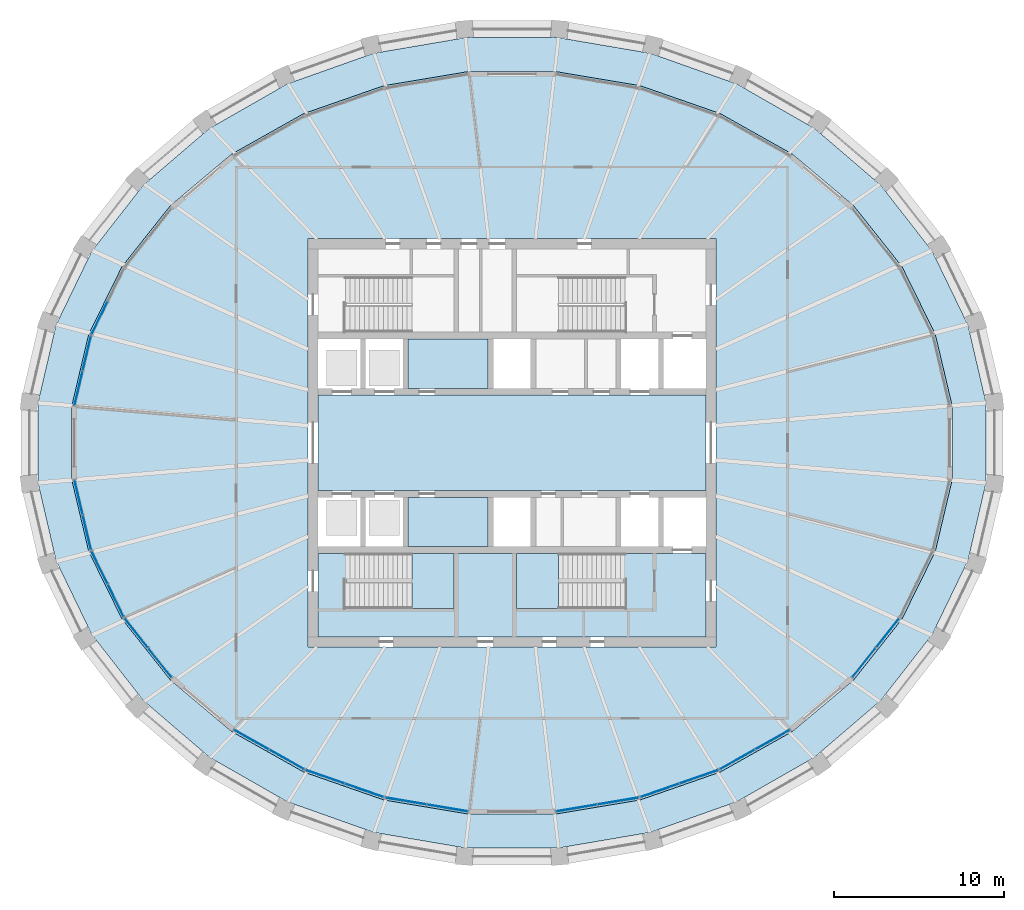
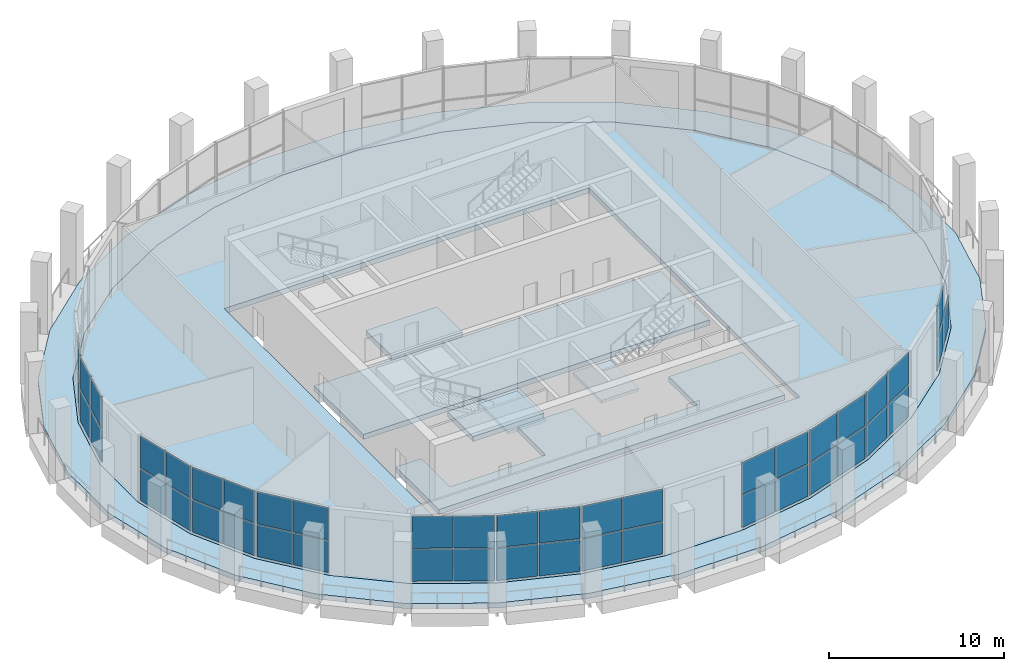
# One storey, part 8 of 16: 45 plates, 8 slabs, 14 elements without a shape of their own.
"""IFC4 building model written with IfcOpenShell, lengths in metres."""

from ifc_helpers import new_model, si_unit, direction, frame, origin, origin_2d, place, context, subcontext, project, spatial, polyline, rectangle, outline, extrude, material, layer, layer_set, type_object, element, aggregate, save


model = new_model("IFC4")

# Units and contexts
model_context = context("Model", 3, precision=1e-05, world=origin(), true_north=direction((0.0, 1.0)))
body_context = subcontext(model_context, "Body", "Model", "MODEL_VIEW")
ifc_project = project(units=[si_unit("LENGTHUNIT", "METRE"), si_unit("AREAUNIT", "SQUARE_METRE"), si_unit("VOLUMEUNIT", "CUBIC_METRE"), si_unit("PLANEANGLEUNIT", "RADIAN"), si_unit("MASSUNIT", "GRAM", prefix="KILO")], contexts=[model_context])

# Site, building, storey
site_placement = place(None, origin())
site = spatial("IfcSite", under=ifc_project, at=site_placement, CompositionType="ELEMENT")
building_placement = place(site_placement, origin())
building = spatial("IfcBuilding", under=site, at=building_placement, Name="Halqa Exchange Tower", CompositionType="ELEMENT")
storey_placement = place(building_placement, frame((0.0, 0.0, 333.300048828125)))
storey = spatial("IfcBuildingStorey", under=building, at=storey_placement, Name="L78", CompositionType="ELEMENT", Elevation=333.300048828125)

# Curtain wall, plates
ifc_material_1 = material(Name="Anodised aluminium and clear glass", Category="aluminium")
curtain_wall_type = type_object("IfcCurtainWallType", Name="Sky lobby glazing", PredefinedType="NOTDEFINED", material=ifc_material_1)
curtain_wall_1_placement = place(storey_placement, origin())
curtain_wall_1 = element("IfcCurtainWall", 1, at=curtain_wall_1_placement, inside=storey, type_object=curtain_wall_type, Name="Sky lobby glazing run G14", PredefinedType="NOTDEFINED")
ifc_material_2 = material(Name="Clear glass", Category="glass")
ifc_layer_1 = layer(ifc_material_2, 0.031982421875)
ifc_layer_set_1 = layer_set([ifc_layer_1], Name="Clear glass")
plate_type = type_object("IfcPlateType", Name="Clear low-emissivity glass panel 32", PredefinedType="CURTAIN_PANEL", material=ifc_layer_set_1)
plate_1_placement = place(storey_placement, frame((-24.2421875, 7.33203125, 0.06982421875), z_axis=(0.0, 0.0, 1.0), x_axis=(-0.441594506199, -0.897214741349, 0.0)))
plate_1 = element("IfcPlate", 2, at=plate_1_placement, type_object=plate_type, Name="G14 panel 2.1", PredefinedType="CURTAIN_PANEL", context=body_context, shape_type="SweptSolid", body=[
    extrude(rectangle(XDim=2.094482421875, YDim=0.031982421875, at=origin_2d()), origin(), (0.0, 0.0, 1.0), 2.219970703125),
])
plate_2_placement = place(storey_placement, frame((-24.2421875, 7.33203125, 2.35986328125), z_axis=(0.0, 0.0, 1.0), x_axis=(-0.441594506199, -0.897214741349, 0.0)))
plate_2 = element("IfcPlate", 3, at=plate_2_placement, type_object=plate_type, Name="G14 panel 2.2", PredefinedType="CURTAIN_PANEL", context=body_context, shape_type="SweptSolid", body=[
    extrude(rectangle(XDim=2.094482421875, YDim=0.031982421875, at=origin_2d()), origin(), (0.0, 0.0, 1.0), 2.219970703125),
])
aggregate(curtain_wall_1, [plate_1, plate_2])

curtain_wall_2_placement = place(storey_placement, origin())
curtain_wall_2 = element("IfcCurtainWall", 4, at=curtain_wall_2_placement, inside=storey, type_object=curtain_wall_type, Name="Sky lobby glazing run G15", PredefinedType="NOTDEFINED")
plate_3_placement = place(storey_placement, frame((-24.9873046875, 5.264404296875, 0.06982421875), z_axis=(0.0, 0.0, 1.0), x_axis=(-0.229995471437, -0.97319169906, 0.0)))
plate_3 = element("IfcPlate", 5, at=plate_3_placement, type_object=plate_type, Name="G15 panel 1.1", PredefinedType="CURTAIN_PANEL", context=body_context, shape_type="SweptSolid", body=[
    extrude(rectangle(XDim=2.048828125, YDim=0.031982421875, at=origin_2d()), origin(), (0.0, 0.0, 1.0), 2.219970703125),
])
plate_4_placement = place(storey_placement, frame((-24.9873046875, 5.264404296875, 2.35986328125), z_axis=(0.0, 0.0, 1.0), x_axis=(-0.229995471437, -0.97319169906, 0.0)))
plate_4 = element("IfcPlate", 6, at=plate_4_placement, type_object=plate_type, Name="G15 panel 1.2", PredefinedType="CURTAIN_PANEL", context=body_context, shape_type="SweptSolid", body=[
    extrude(rectangle(XDim=2.048828125, YDim=0.031982421875, at=origin_2d()), origin(), (0.0, 0.0, 1.0), 2.219970703125),
])
plate_5_placement = place(storey_placement, frame((-25.474609375, 3.20263671875, 0.06982421875), z_axis=(0.0, 0.0, 1.0), x_axis=(-0.229995471437, -0.97319169906, 0.0)))
plate_5 = element("IfcPlate", 7, at=plate_5_placement, type_object=plate_type, Name="G15 panel 2.1", PredefinedType="CURTAIN_PANEL", context=body_context, shape_type="SweptSolid", body=[
    extrude(rectangle(XDim=2.048828125, YDim=0.031982421875, at=origin_2d()), origin(), (0.0, 0.0, 1.0), 2.219970703125),
])
plate_6_placement = place(storey_placement, frame((-25.474609375, 3.20263671875, 2.35986328125), z_axis=(0.0, 0.0, 1.0), x_axis=(-0.229995471437, -0.97319169906, 0.0)))
plate_6 = element("IfcPlate", 8, at=plate_6_placement, type_object=plate_type, Name="G15 panel 2.2", PredefinedType="CURTAIN_PANEL", context=body_context, shape_type="SweptSolid", body=[
    extrude(rectangle(XDim=2.048828125, YDim=0.031982421875, at=origin_2d()), origin(), (0.0, 0.0, 1.0), 2.219970703125),
])
aggregate(curtain_wall_2, [plate_3, plate_4, plate_5, plate_6])

curtain_wall_3_placement = place(storey_placement, origin())
curtain_wall_3 = element("IfcCurtainWall", 9, at=curtain_wall_3_placement, inside=storey, type_object=curtain_wall_type, Name="Sky lobby glazing run G17", PredefinedType="NOTDEFINED")
plate_7_placement = place(storey_placement, frame((-25.474609375, -3.20263671875, 0.06982421875), z_axis=(0.0, 0.0, 1.0), x_axis=(0.229995471437, -0.97319169906, 0.0)))
plate_7 = element("IfcPlate", 10, at=plate_7_placement, type_object=plate_type, Name="G17 panel 1.1", PredefinedType="CURTAIN_PANEL", context=body_context, shape_type="SweptSolid", body=[
    extrude(rectangle(XDim=2.048828125, YDim=0.031982421875, at=origin_2d()), origin(), (0.0, 0.0, 1.0), 2.219970703125),
])
plate_8_placement = place(storey_placement, frame((-25.474609375, -3.20263671875, 2.35986328125), z_axis=(0.0, 0.0, 1.0), x_axis=(0.229995471437, -0.97319169906, 0.0)))
plate_8 = element("IfcPlate", 11, at=plate_8_placement, type_object=plate_type, Name="G17 panel 1.2", PredefinedType="CURTAIN_PANEL", context=body_context, shape_type="SweptSolid", body=[
    extrude(rectangle(XDim=2.048828125, YDim=0.031982421875, at=origin_2d()), origin(), (0.0, 0.0, 1.0), 2.219970703125),
])
plate_9_placement = place(storey_placement, frame((-24.9873046875, -5.264404296875, 0.06982421875), z_axis=(0.0, 0.0, 1.0), x_axis=(0.229995471437, -0.97319169906, 0.0)))
plate_9 = element("IfcPlate", 12, at=plate_9_placement, type_object=plate_type, Name="G17 panel 2.1", PredefinedType="CURTAIN_PANEL", context=body_context, shape_type="SweptSolid", body=[
    extrude(rectangle(XDim=2.048828125, YDim=0.031982421875, at=origin_2d()), origin(), (0.0, 0.0, 1.0), 2.219970703125),
])
plate_10_placement = place(storey_placement, frame((-24.9873046875, -5.264404296875, 2.35986328125), z_axis=(0.0, 0.0, 1.0), x_axis=(0.229995471437, -0.97319169906, 0.0)))
plate_10 = element("IfcPlate", 13, at=plate_10_placement, type_object=plate_type, Name="G17 panel 2.2", PredefinedType="CURTAIN_PANEL", context=body_context, shape_type="SweptSolid", body=[
    extrude(rectangle(XDim=2.048828125, YDim=0.031982421875, at=origin_2d()), origin(), (0.0, 0.0, 1.0), 2.219970703125),
])
aggregate(curtain_wall_3, [plate_7, plate_8, plate_9, plate_10])

curtain_wall_4_placement = place(storey_placement, origin())
curtain_wall_4 = element("IfcCurtainWall", 14, at=curtain_wall_4_placement, inside=storey, type_object=curtain_wall_type, Name="Sky lobby glazing run G18", PredefinedType="NOTDEFINED")
plate_11_placement = place(storey_placement, frame((-24.2421875, -7.33203125, 0.06982421875), z_axis=(0.0, 0.0, 1.0), x_axis=(0.441594506199, -0.897214741349, 0.0)))
plate_11 = element("IfcPlate", 15, at=plate_11_placement, type_object=plate_type, Name="G18 panel 1.1", PredefinedType="CURTAIN_PANEL", context=body_context, shape_type="SweptSolid", body=[
    extrude(rectangle(XDim=2.094482421875, YDim=0.031982421875, at=origin_2d()), origin(), (0.0, 0.0, 1.0), 2.219970703125),
])
plate_12_placement = place(storey_placement, frame((-24.2421875, -7.33203125, 2.35986328125), z_axis=(0.0, 0.0, 1.0), x_axis=(0.441594506199, -0.897214741349, 0.0)))
plate_12 = element("IfcPlate", 16, at=plate_12_placement, type_object=plate_type, Name="G18 panel 1.2", PredefinedType="CURTAIN_PANEL", context=body_context, shape_type="SweptSolid", body=[
    extrude(rectangle(XDim=2.094482421875, YDim=0.031982421875, at=origin_2d()), origin(), (0.0, 0.0, 1.0), 2.219970703125),
])
plate_13_placement = place(storey_placement, frame((-23.286376953125, -9.27392578125, 0.06982421875), z_axis=(0.0, 0.0, 1.0), x_axis=(0.441594506199, -0.897214741349, 0.0)))
plate_13 = element("IfcPlate", 17, at=plate_13_placement, type_object=plate_type, Name="G18 panel 2.1", PredefinedType="CURTAIN_PANEL", context=body_context, shape_type="SweptSolid", body=[
    extrude(rectangle(XDim=2.094482421875, YDim=0.031982421875, at=origin_2d()), origin(), (0.0, 0.0, 1.0), 2.219970703125),
])
plate_14_placement = place(storey_placement, frame((-23.286376953125, -9.27392578125, 2.35986328125), z_axis=(0.0, 0.0, 1.0), x_axis=(0.441594506199, -0.897214741349, 0.0)))
plate_14 = element("IfcPlate", 18, at=plate_14_placement, type_object=plate_type, Name="G18 panel 2.2", PredefinedType="CURTAIN_PANEL", context=body_context, shape_type="SweptSolid", body=[
    extrude(rectangle(XDim=2.094482421875, YDim=0.031982421875, at=origin_2d()), origin(), (0.0, 0.0, 1.0), 2.219970703125),
])
aggregate(curtain_wall_4, [plate_11, plate_12, plate_13, plate_14])

curtain_wall_5_placement = place(storey_placement, origin())
curtain_wall_5 = element("IfcCurtainWall", 19, at=curtain_wall_5_placement, inside=storey, type_object=curtain_wall_type, Name="Sky lobby glazing run G19", PredefinedType="NOTDEFINED")
plate_15_placement = place(storey_placement, frame((-22.077392578125, -11.177490234375, 0.06982421875), z_axis=(0.0, 0.0, 1.0), x_axis=(0.621817275737, -0.783162355834, 0.0)))
plate_15 = element("IfcPlate", 20, at=plate_15_placement, type_object=plate_type, Name="G19 panel 1.1", PredefinedType="CURTAIN_PANEL", context=body_context, shape_type="SweptSolid", body=[
    extrude(rectangle(XDim=2.161376953125, YDim=0.031982421875, at=origin_2d()), origin(), (0.0, 0.0, 1.0), 2.219970703125),
])
plate_16_placement = place(storey_placement, frame((-22.077392578125, -11.177490234375, 2.35986328125), z_axis=(0.0, 0.0, 1.0), x_axis=(0.621817275737, -0.783162355834, 0.0)))
plate_16 = element("IfcPlate", 21, at=plate_16_placement, type_object=plate_type, Name="G19 panel 1.2", PredefinedType="CURTAIN_PANEL", context=body_context, shape_type="SweptSolid", body=[
    extrude(rectangle(XDim=2.161376953125, YDim=0.031982421875, at=origin_2d()), origin(), (0.0, 0.0, 1.0), 2.219970703125),
])
plate_17_placement = place(storey_placement, frame((-20.68994140625, -12.925048828125, 0.06982421875), z_axis=(0.0, 0.0, 1.0), x_axis=(0.621817275737, -0.783162355834, 0.0)))
plate_17 = element("IfcPlate", 22, at=plate_17_placement, type_object=plate_type, Name="G19 panel 2.1", PredefinedType="CURTAIN_PANEL", context=body_context, shape_type="SweptSolid", body=[
    extrude(rectangle(XDim=2.161376953125, YDim=0.031982421875, at=origin_2d()), origin(), (0.0, 0.0, 1.0), 2.219970703125),
])
plate_18_placement = place(storey_placement, frame((-20.68994140625, -12.925048828125, 2.35986328125), z_axis=(0.0, 0.0, 1.0), x_axis=(0.621817275737, -0.783162355834, 0.0)))
plate_18 = element("IfcPlate", 23, at=plate_18_placement, type_object=plate_type, Name="G19 panel 2.2", PredefinedType="CURTAIN_PANEL", context=body_context, shape_type="SweptSolid", body=[
    extrude(rectangle(XDim=2.161376953125, YDim=0.031982421875, at=origin_2d()), origin(), (0.0, 0.0, 1.0), 2.219970703125),
])
aggregate(curtain_wall_5, [plate_15, plate_16, plate_17, plate_18])

curtain_wall_6_placement = place(storey_placement, origin())
curtain_wall_6 = element("IfcCurtainWall", 24, at=curtain_wall_6_placement, inside=storey, type_object=curtain_wall_type, Name="Sky lobby glazing run G21", PredefinedType="NOTDEFINED")
plate_19_placement = place(storey_placement, frame((-15.3212890625, -17.44384765625, 0.06982421875), z_axis=(0.0, 0.0, 1.0), x_axis=(0.871633547948, -0.490158094997, 0.0)))
plate_19 = element("IfcPlate", 25, at=plate_19_placement, type_object=plate_type, Name="G21 panel 1.1", PredefinedType="CURTAIN_PANEL", context=body_context, shape_type="SweptSolid", body=[
    extrude(rectangle(XDim=2.311767578125, YDim=0.031982421875, at=origin_2d()), origin(), (0.0, 0.0, 1.0), 2.219970703125),
])
plate_20_placement = place(storey_placement, frame((-15.3212890625, -17.44384765625, 2.35986328125), z_axis=(0.0, 0.0, 1.0), x_axis=(0.871633547948, -0.490158094997, 0.0)))
plate_20 = element("IfcPlate", 26, at=plate_20_placement, type_object=plate_type, Name="G21 panel 1.2", PredefinedType="CURTAIN_PANEL", context=body_context, shape_type="SweptSolid", body=[
    extrude(rectangle(XDim=2.311767578125, YDim=0.031982421875, at=origin_2d()), origin(), (0.0, 0.0, 1.0), 2.219970703125),
])
plate_21_placement = place(storey_placement, frame((-13.245361328125, -18.611083984375, 0.06982421875), z_axis=(0.0, 0.0, 1.0), x_axis=(0.871633547948, -0.490158094997, 0.0)))
plate_21 = element("IfcPlate", 27, at=plate_21_placement, type_object=plate_type, Name="G21 panel 2.1", PredefinedType="CURTAIN_PANEL", context=body_context, shape_type="SweptSolid", body=[
    extrude(rectangle(XDim=2.311767578125, YDim=0.031982421875, at=origin_2d()), origin(), (0.0, 0.0, 1.0), 2.219970703125),
])
plate_22_placement = place(storey_placement, frame((-13.245361328125, -18.611083984375, 2.35986328125), z_axis=(0.0, 0.0, 1.0), x_axis=(0.871633547948, -0.490158094997, 0.0)))
plate_22 = element("IfcPlate", 28, at=plate_22_placement, type_object=plate_type, Name="G21 panel 2.2", PredefinedType="CURTAIN_PANEL", context=body_context, shape_type="SweptSolid", body=[
    extrude(rectangle(XDim=2.311767578125, YDim=0.031982421875, at=origin_2d()), origin(), (0.0, 0.0, 1.0), 2.219970703125),
])
aggregate(curtain_wall_6, [plate_19, plate_20, plate_21, plate_22])

curtain_wall_7_placement = place(storey_placement, origin())
curtain_wall_7 = element("IfcCurtainWall", 29, at=curtain_wall_7_placement, inside=storey, type_object=curtain_wall_type, Name="Sky lobby glazing run G22", PredefinedType="NOTDEFINED")
plate_23_placement = place(storey_placement, frame((-10.990478515625, -19.62548828125, 0.06982421875), z_axis=(0.0, 0.0, 1.0), x_axis=(0.9442741551, -0.329160021888, 0.0)))
plate_23 = element("IfcPlate", 30, at=plate_23_placement, type_object=plate_type, Name="G22 panel 1.1", PredefinedType="CURTAIN_PANEL", context=body_context, shape_type="SweptSolid", body=[
    extrude(rectangle(XDim=2.37255859375, YDim=0.031982421875, at=origin_2d()), origin(), (0.0, 0.0, 1.0), 2.219970703125),
])
plate_24_placement = place(storey_placement, frame((-10.990478515625, -19.62548828125, 2.35986328125), z_axis=(0.0, 0.0, 1.0), x_axis=(0.9442741551, -0.329160021888, 0.0)))
plate_24 = element("IfcPlate", 31, at=plate_24_placement, type_object=plate_type, Name="G22 panel 1.2", PredefinedType="CURTAIN_PANEL", context=body_context, shape_type="SweptSolid", body=[
    extrude(rectangle(XDim=2.37255859375, YDim=0.031982421875, at=origin_2d()), origin(), (0.0, 0.0, 1.0), 2.219970703125),
])
plate_25_placement = place(storey_placement, frame((-8.683837890625, -20.429443359375, 0.06982421875), z_axis=(0.0, 0.0, 1.0), x_axis=(0.9442741551, -0.329160021888, 0.0)))
plate_25 = element("IfcPlate", 32, at=plate_25_placement, type_object=plate_type, Name="G22 panel 2.1", PredefinedType="CURTAIN_PANEL", context=body_context, shape_type="SweptSolid", body=[
    extrude(rectangle(XDim=2.37255859375, YDim=0.031982421875, at=origin_2d()), origin(), (0.0, 0.0, 1.0), 2.219970703125),
])
plate_26_placement = place(storey_placement, frame((-8.683837890625, -20.429443359375, 2.35986328125), z_axis=(0.0, 0.0, 1.0), x_axis=(0.9442741551, -0.329160021888, 0.0)))
plate_26 = element("IfcPlate", 33, at=plate_26_placement, type_object=plate_type, Name="G22 panel 2.2", PredefinedType="CURTAIN_PANEL", context=body_context, shape_type="SweptSolid", body=[
    extrude(rectangle(XDim=2.37255859375, YDim=0.031982421875, at=origin_2d()), origin(), (0.0, 0.0, 1.0), 2.219970703125),
])
aggregate(curtain_wall_7, [plate_23, plate_24, plate_25, plate_26])

curtain_wall_8_placement = place(storey_placement, origin())
curtain_wall_8 = element("IfcCurtainWall", 34, at=curtain_wall_8_placement, inside=storey, type_object=curtain_wall_type, Name="Sky lobby glazing run G23", PredefinedType="NOTDEFINED")
plate_27_placement = place(storey_placement, frame((-6.23876953125, -21.053955078125, 0.06982421875), z_axis=(0.0, 0.0, 1.0), x_axis=(0.986273964834, -0.165117129007, 0.0)))
plate_27 = element("IfcPlate", 35, at=plate_27_placement, type_object=plate_type, Name="G23 panel 1.1", PredefinedType="CURTAIN_PANEL", context=body_context, shape_type="SweptSolid", body=[
    extrude(rectangle(XDim=2.41259765625, YDim=0.031982421875, at=origin_2d()), origin(), (0.0, 0.0, 1.0), 2.219970703125),
])
plate_28_placement = place(storey_placement, frame((-6.23876953125, -21.053955078125, 2.35986328125), z_axis=(0.0, 0.0, 1.0), x_axis=(0.986273964834, -0.165117129007, 0.0)))
plate_28 = element("IfcPlate", 36, at=plate_28_placement, type_object=plate_type, Name="G23 panel 1.2", PredefinedType="CURTAIN_PANEL", context=body_context, shape_type="SweptSolid", body=[
    extrude(rectangle(XDim=2.41259765625, YDim=0.031982421875, at=origin_2d()), origin(), (0.0, 0.0, 1.0), 2.219970703125),
])
plate_29_placement = place(storey_placement, frame((-3.790283203125, -21.4638671875, 0.06982421875), z_axis=(0.0, 0.0, 1.0), x_axis=(0.986273964834, -0.165117129007, 0.0)))
plate_29 = element("IfcPlate", 37, at=plate_29_placement, type_object=plate_type, Name="G23 panel 2.1", PredefinedType="CURTAIN_PANEL", context=body_context, shape_type="SweptSolid", body=[
    extrude(rectangle(XDim=2.41259765625, YDim=0.031982421875, at=origin_2d()), origin(), (0.0, 0.0, 1.0), 2.219970703125),
])
plate_30_placement = place(storey_placement, frame((-3.790283203125, -21.4638671875, 2.35986328125), z_axis=(0.0, 0.0, 1.0), x_axis=(0.986273964834, -0.165117129007, 0.0)))
plate_30 = element("IfcPlate", 38, at=plate_30_placement, type_object=plate_type, Name="G23 panel 2.2", PredefinedType="CURTAIN_PANEL", context=body_context, shape_type="SweptSolid", body=[
    extrude(rectangle(XDim=2.41259765625, YDim=0.031982421875, at=origin_2d()), origin(), (0.0, 0.0, 1.0), 2.219970703125),
])
aggregate(curtain_wall_8, [plate_27, plate_28, plate_29, plate_30])

curtain_wall_9_placement = place(storey_placement, origin())
curtain_wall_9 = element("IfcCurtainWall", 39, at=curtain_wall_9_placement, inside=storey, type_object=curtain_wall_type, Name="Sky lobby glazing run G25", PredefinedType="NOTDEFINED")
plate_31_placement = place(storey_placement, frame((3.790283203125, -21.4638671875, 0.06982421875), z_axis=(0.0, 0.0, 1.0), x_axis=(0.986273964834, 0.165117129007, 0.0)))
plate_31 = element("IfcPlate", 40, at=plate_31_placement, type_object=plate_type, Name="G25 panel 1.1", PredefinedType="CURTAIN_PANEL", context=body_context, shape_type="SweptSolid", body=[
    extrude(rectangle(XDim=2.41259765625, YDim=0.031982421875, at=origin_2d()), origin(), (0.0, 0.0, 1.0), 2.219970703125),
])
plate_32_placement = place(storey_placement, frame((3.790283203125, -21.4638671875, 2.35986328125), z_axis=(0.0, 0.0, 1.0), x_axis=(0.986273964834, 0.165117129007, 0.0)))
plate_32 = element("IfcPlate", 41, at=plate_32_placement, type_object=plate_type, Name="G25 panel 1.2", PredefinedType="CURTAIN_PANEL", context=body_context, shape_type="SweptSolid", body=[
    extrude(rectangle(XDim=2.41259765625, YDim=0.031982421875, at=origin_2d()), origin(), (0.0, 0.0, 1.0), 2.219970703125),
])
plate_33_placement = place(storey_placement, frame((6.23876953125, -21.053955078125, 0.06982421875), z_axis=(0.0, 0.0, 1.0), x_axis=(0.986273964834, 0.165117129007, 0.0)))
plate_33 = element("IfcPlate", 42, at=plate_33_placement, type_object=plate_type, Name="G25 panel 2.1", PredefinedType="CURTAIN_PANEL", context=body_context, shape_type="SweptSolid", body=[
    extrude(rectangle(XDim=2.41259765625, YDim=0.031982421875, at=origin_2d()), origin(), (0.0, 0.0, 1.0), 2.219970703125),
])
plate_34_placement = place(storey_placement, frame((6.23876953125, -21.053955078125, 2.35986328125), z_axis=(0.0, 0.0, 1.0), x_axis=(0.986273964834, 0.165117129007, 0.0)))
plate_34 = element("IfcPlate", 43, at=plate_34_placement, type_object=plate_type, Name="G25 panel 2.2", PredefinedType="CURTAIN_PANEL", context=body_context, shape_type="SweptSolid", body=[
    extrude(rectangle(XDim=2.41259765625, YDim=0.031982421875, at=origin_2d()), origin(), (0.0, 0.0, 1.0), 2.219970703125),
])
aggregate(curtain_wall_9, [plate_31, plate_32, plate_33, plate_34])

curtain_wall_10_placement = place(storey_placement, origin())
curtain_wall_10 = element("IfcCurtainWall", 44, at=curtain_wall_10_placement, inside=storey, type_object=curtain_wall_type, Name="Sky lobby glazing run G26", PredefinedType="NOTDEFINED")
plate_35_placement = place(storey_placement, frame((8.683837890625, -20.429443359375, 0.06982421875), z_axis=(0.0, 0.0, 1.0), x_axis=(0.9442741551, 0.329160021888, 0.0)))
plate_35 = element("IfcPlate", 45, at=plate_35_placement, type_object=plate_type, Name="G26 panel 1.1", PredefinedType="CURTAIN_PANEL", context=body_context, shape_type="SweptSolid", body=[
    extrude(rectangle(XDim=2.37255859375, YDim=0.031982421875, at=origin_2d()), origin(), (0.0, 0.0, 1.0), 2.219970703125),
])
plate_36_placement = place(storey_placement, frame((8.683837890625, -20.429443359375, 2.35986328125), z_axis=(0.0, 0.0, 1.0), x_axis=(0.9442741551, 0.329160021888, 0.0)))
plate_36 = element("IfcPlate", 46, at=plate_36_placement, type_object=plate_type, Name="G26 panel 1.2", PredefinedType="CURTAIN_PANEL", context=body_context, shape_type="SweptSolid", body=[
    extrude(rectangle(XDim=2.37255859375, YDim=0.031982421875, at=origin_2d()), origin(), (0.0, 0.0, 1.0), 2.219970703125),
])
plate_37_placement = place(storey_placement, frame((10.990478515625, -19.62548828125, 0.06982421875), z_axis=(0.0, 0.0, 1.0), x_axis=(0.9442741551, 0.329160021888, 0.0)))
plate_37 = element("IfcPlate", 47, at=plate_37_placement, type_object=plate_type, Name="G26 panel 2.1", PredefinedType="CURTAIN_PANEL", context=body_context, shape_type="SweptSolid", body=[
    extrude(rectangle(XDim=2.37255859375, YDim=0.031982421875, at=origin_2d()), origin(), (0.0, 0.0, 1.0), 2.219970703125),
])
plate_38_placement = place(storey_placement, frame((10.990478515625, -19.62548828125, 2.35986328125), z_axis=(0.0, 0.0, 1.0), x_axis=(0.9442741551, 0.329160021888, 0.0)))
plate_38 = element("IfcPlate", 48, at=plate_38_placement, type_object=plate_type, Name="G26 panel 2.2", PredefinedType="CURTAIN_PANEL", context=body_context, shape_type="SweptSolid", body=[
    extrude(rectangle(XDim=2.37255859375, YDim=0.031982421875, at=origin_2d()), origin(), (0.0, 0.0, 1.0), 2.219970703125),
])
aggregate(curtain_wall_10, [plate_35, plate_36, plate_37, plate_38])

curtain_wall_11_placement = place(storey_placement, origin())
curtain_wall_11 = element("IfcCurtainWall", 49, at=curtain_wall_11_placement, inside=storey, type_object=curtain_wall_type, Name="Sky lobby glazing run G27", PredefinedType="NOTDEFINED")
plate_39_placement = place(storey_placement, frame((13.245361328125, -18.611083984375, 0.06982421875), z_axis=(0.0, 0.0, 1.0), x_axis=(0.871633547948, 0.490158094997, 0.0)))
plate_39 = element("IfcPlate", 50, at=plate_39_placement, type_object=plate_type, Name="G27 panel 1.1", PredefinedType="CURTAIN_PANEL", context=body_context, shape_type="SweptSolid", body=[
    extrude(rectangle(XDim=2.311767578125, YDim=0.031982421875, at=origin_2d()), origin(), (0.0, 0.0, 1.0), 2.219970703125),
])
plate_40_placement = place(storey_placement, frame((13.245361328125, -18.611083984375, 2.35986328125), z_axis=(0.0, 0.0, 1.0), x_axis=(0.871633547948, 0.490158094997, 0.0)))
plate_40 = element("IfcPlate", 51, at=plate_40_placement, type_object=plate_type, Name="G27 panel 1.2", PredefinedType="CURTAIN_PANEL", context=body_context, shape_type="SweptSolid", body=[
    extrude(rectangle(XDim=2.311767578125, YDim=0.031982421875, at=origin_2d()), origin(), (0.0, 0.0, 1.0), 2.219970703125),
])
plate_41_placement = place(storey_placement, frame((15.3212890625, -17.44384765625, 0.06982421875), z_axis=(0.0, 0.0, 1.0), x_axis=(0.871633547948, 0.490158094997, 0.0)))
plate_41 = element("IfcPlate", 52, at=plate_41_placement, type_object=plate_type, Name="G27 panel 2.1", PredefinedType="CURTAIN_PANEL", context=body_context, shape_type="SweptSolid", body=[
    extrude(rectangle(XDim=2.311767578125, YDim=0.031982421875, at=origin_2d()), origin(), (0.0, 0.0, 1.0), 2.219970703125),
])
plate_42_placement = place(storey_placement, frame((15.3212890625, -17.44384765625, 2.35986328125), z_axis=(0.0, 0.0, 1.0), x_axis=(0.871633547948, 0.490158094997, 0.0)))
plate_42 = element("IfcPlate", 53, at=plate_42_placement, type_object=plate_type, Name="G27 panel 2.2", PredefinedType="CURTAIN_PANEL", context=body_context, shape_type="SweptSolid", body=[
    extrude(rectangle(XDim=2.311767578125, YDim=0.031982421875, at=origin_2d()), origin(), (0.0, 0.0, 1.0), 2.219970703125),
])
aggregate(curtain_wall_11, [plate_39, plate_40, plate_41, plate_42])

curtain_wall_12_placement = place(storey_placement, origin())
curtain_wall_12 = element("IfcCurtainWall", 54, at=curtain_wall_12_placement, inside=storey, type_object=curtain_wall_type, Name="Sky lobby glazing run G29", PredefinedType="NOTDEFINED")
plate_43_placement = place(storey_placement, frame((20.68994140625, -12.925048828125, 0.06982421875), z_axis=(0.0, 0.0, 1.0), x_axis=(0.621817275737, 0.783162355834, 0.0)))
plate_43 = element("IfcPlate", 55, at=plate_43_placement, type_object=plate_type, Name="G29 panel 1.1", PredefinedType="CURTAIN_PANEL", context=body_context, shape_type="SweptSolid", body=[
    extrude(rectangle(XDim=2.161376953125, YDim=0.031982421875, at=origin_2d()), origin(), (0.0, 0.0, 1.0), 2.219970703125),
])
plate_44_placement = place(storey_placement, frame((20.68994140625, -12.925048828125, 2.35986328125), z_axis=(0.0, 0.0, 1.0), x_axis=(0.621817275737, 0.783162355834, 0.0)))
plate_44 = element("IfcPlate", 56, at=plate_44_placement, type_object=plate_type, Name="G29 panel 1.2", PredefinedType="CURTAIN_PANEL", context=body_context, shape_type="SweptSolid", body=[
    extrude(rectangle(XDim=2.161376953125, YDim=0.031982421875, at=origin_2d()), origin(), (0.0, 0.0, 1.0), 2.219970703125),
])
plate_45_placement = place(storey_placement, frame((22.077392578125, -11.177490234375, 0.06982421875), z_axis=(0.0, 0.0, 1.0), x_axis=(0.621817275737, 0.783162355834, 0.0)))
plate_45 = element("IfcPlate", 57, at=plate_45_placement, type_object=plate_type, Name="G29 panel 2.1", PredefinedType="CURTAIN_PANEL", context=body_context, shape_type="SweptSolid", body=[
    extrude(rectangle(XDim=2.161376953125, YDim=0.031982421875, at=origin_2d()), origin(), (0.0, 0.0, 1.0), 2.219970703125),
])
aggregate(curtain_wall_12, [plate_43, plate_44, plate_45])

# Slabs
ifc_material_3 = material(Name="Concrete C60/75", Category="concrete")
ifc_layer_2 = layer(ifc_material_3, 0.35009765625)
ifc_layer_set_2 = layer_set([ifc_layer_2], Name="Concrete C60/75")
slab_type_1 = type_object("IfcSlabType", Name="Core floor slab 350", PredefinedType="FLOOR", material=ifc_layer_set_2)
slab_1_placement = place(storey_placement, frame((0.0, 0.0, -0.35009765625)))
element("IfcSlab", 58, at=slab_1_placement, inside=storey, type_object=slab_type_1, Name="Core floor slab", PredefinedType="FLOOR", context=body_context, shape_type="SweptSolid", body=[
    extrude(outline(polyline([(-11.39990234375, 2.800048828125), (11.39990234375, 2.800048828125), (11.39990234375, -2.800048828125), (-11.39990234375, -2.800048828125), (-11.39990234375, 2.800048828125)])), origin(), (0.0, 0.0, 1.0), 0.35009765625),
])
slab_2_placement = place(storey_placement, frame((0.0, 0.0, -0.35009765625)))
element("IfcSlab", 59, at=slab_2_placement, inside=storey, type_object=slab_type_1, Name="Core floor slab", PredefinedType="FLOOR", context=body_context, shape_type="SweptSolid", body=[
    extrude(outline(polyline([(-11.39990234375, -6.5), (-9.699951171875, -6.5), (-9.699951171875, -9.75), (-3.39990234375, -9.75), (-3.39990234375, -6.5), (0.25, -6.5), (0.25, -9.75), (6.550048828125, -9.75), (6.550048828125, -6.5), (11.39990234375, -6.5), (11.39990234375, -11.39990234375), (-11.39990234375, -11.39990234375), (-11.39990234375, -6.5)])), origin(), (0.0, 0.0, 1.0), 0.35009765625),
])
slab_3_placement = place(storey_placement, frame((0.0, 0.0, -0.35009765625)))
element("IfcSlab", 60, at=slab_3_placement, inside=storey, type_object=slab_type_1, Name="Core floor slab", PredefinedType="FLOOR", context=body_context, shape_type="SweptSolid", body=[
    extrude(outline(polyline([(-1.39990234375, -3.199951171875), (-1.39990234375, -6.10009765625), (-6.10009765625, -6.10009765625), (-6.10009765625, -3.199951171875), (-1.39990234375, -3.199951171875)])), origin(), (0.0, 0.0, 1.0), 0.35009765625),
])
slab_4_placement = place(storey_placement, frame((0.0, 0.0, -0.35009765625)))
element("IfcSlab", 61, at=slab_4_placement, inside=storey, type_object=slab_type_1, Name="Core floor slab", PredefinedType="FLOOR", context=body_context, shape_type="SweptSolid", body=[
    extrude(outline(polyline([(-1.39990234375, 3.199951171875), (-6.10009765625, 3.199951171875), (-6.10009765625, 6.10009765625), (-1.39990234375, 6.10009765625), (-1.39990234375, 3.199951171875)])), origin(), (0.0, 0.0, 1.0), 0.35009765625),
])
ifc_material_4 = material(Name="Concrete C40/50", Category="concrete")
ifc_layer_3 = layer(ifc_material_4, 0.35009765625)
ifc_layer_set_3 = layer_set([ifc_layer_3], Name="Concrete C40/50")
slab_type_2 = type_object("IfcSlabType", Name="RC floor slab 350", PredefinedType="FLOOR", material=ifc_layer_set_3)
slab_5_placement = place(storey_placement, frame((0.0, 0.0, -0.35009765625)))
element("IfcSlab", 62, at=slab_5_placement, inside=storey, type_object=slab_type_2, Name="Floor slab", PredefinedType="FLOOR", context=body_context, shape_type="SweptSolid", body=[
    extrude(outline(polyline([(25.876220703125, 2.155029296875), (24.877685546875, 6.380615234375), (22.92041015625, 10.35693359375), (20.08251953125, 13.93115234375), (16.4755859375, 16.966796875), (12.23876953125, 19.34912109375), (7.534912109375, 20.989013671875), (2.5439453125, 21.824462890625), (-2.5439453125, 21.824462890625), (-7.534912109375, 20.989013671875), (-12.23876953125, 19.34912109375), (-16.4755859375, 16.966796875), (-20.08251953125, 13.93115234375), (-22.92041015625, 10.35693359375), (-24.877685546875, 6.380615234375), (-25.876220703125, 2.155029296875), (-25.876220703125, -2.155029296875), (-24.877685546875, -6.380615234375), (-22.92041015625, -10.35693359375), (-20.08251953125, -13.93115234375), (-16.4755859375, -16.966796875), (-12.23876953125, -19.34912109375), (-7.534912109375, -20.989013671875), (-2.5439453125, -21.824462890625), (2.5439453125, -21.824462890625), (7.534912109375, -20.989013671875), (12.23876953125, -19.34912109375), (16.4755859375, -16.966796875), (20.08251953125, -13.93115234375), (22.92041015625, -10.35693359375), (24.877685546875, -6.380615234375), (25.876220703125, -2.155029296875), (25.876220703125, 2.155029296875)]), holes=[polyline([(-12.0, -12.0), (12.0, -12.0), (12.0, 12.0), (-12.0, 12.0), (-12.0, -12.0)])]), origin(), (0.0, 0.0, 1.0), 0.35009765625),
])
ifc_layer_4 = layer(ifc_material_4, 0.35009765625)
ifc_layer_set_4 = layer_set([ifc_layer_4], Name="Concrete C40/50")
slab_type_3 = type_object("IfcSlabType", Name="RC loggia slab 350", PredefinedType="FLOOR", material=ifc_layer_set_4)
slab_6_placement = place(storey_placement, frame((0.0, 0.0, -0.35009765625)))
element("IfcSlab", 63, at=slab_6_placement, inside=storey, type_object=slab_type_3, Name="Loggia slab", PredefinedType="FLOOR", context=body_context, shape_type="SweptSolid", body=[
    extrude(outline(polyline([(27.86279296875, 2.337158203125), (27.86279296875, -2.337158203125), (26.79833984375, -6.923828125), (24.707763671875, -11.250244140625), (21.667236328125, -15.150390625), (17.790771484375, -18.47314453125), (13.22509765625, -21.087890625), (8.146484375, -22.89111328125), (2.751220703125, -23.81103515625), (-2.751220703125, -23.81103515625), (-8.146484375, -22.89111328125), (-13.22509765625, -21.087890625), (-17.790771484375, -18.47314453125), (-21.667236328125, -15.150390625), (-24.707763671875, -11.250244140625), (-26.79833984375, -6.923828125), (-27.86279296875, -2.337158203125), (-27.86279296875, 2.337158203125), (-26.79833984375, 6.923828125), (-24.707763671875, 11.250244140625), (-21.667236328125, 15.150390625), (-17.790771484375, 18.47314453125), (-13.22509765625, 21.087890625), (-8.146484375, 22.89111328125), (-2.751220703125, 23.81103515625), (2.751220703125, 23.81103515625), (8.146484375, 22.89111328125), (13.22509765625, 21.087890625), (17.790771484375, 18.47314453125), (21.667236328125, 15.150390625), (24.707763671875, 11.250244140625), (26.79833984375, 6.923828125), (27.86279296875, 2.337158203125)]), holes=[polyline([(25.876220703125, 2.155029296875), (24.877685546875, 6.380615234375), (22.92041015625, 10.35693359375), (20.08251953125, 13.93115234375), (16.4755859375, 16.966796875), (12.23876953125, 19.34912109375), (7.534912109375, 20.989013671875), (2.5439453125, 21.824462890625), (-2.5439453125, 21.824462890625), (-7.534912109375, 20.989013671875), (-12.23876953125, 19.34912109375), (-16.4755859375, 16.966796875), (-20.08251953125, 13.93115234375), (-22.92041015625, 10.35693359375), (-24.877685546875, 6.380615234375), (-25.876220703125, 2.155029296875), (-25.876220703125, -2.155029296875), (-24.877685546875, -6.380615234375), (-22.92041015625, -10.35693359375), (-20.08251953125, -13.93115234375), (-16.4755859375, -16.966796875), (-12.23876953125, -19.34912109375), (-7.534912109375, -20.989013671875), (-2.5439453125, -21.824462890625), (2.5439453125, -21.824462890625), (7.534912109375, -20.989013671875), (12.23876953125, -19.34912109375), (16.4755859375, -16.966796875), (20.08251953125, -13.93115234375), (22.92041015625, -10.35693359375), (24.877685546875, -6.380615234375), (25.876220703125, -2.155029296875), (25.876220703125, 2.155029296875)])]), origin(), (0.0, 0.0, 1.0), 0.35009765625),
])

# Stair, slab
ifc_material_5 = material(Name="Concrete C30/37", Category="concrete")
stair_type = type_object("IfcStairType", Name="Exit stair 1500 wide", PredefinedType="HALF_TURN_STAIR", material=ifc_material_5)
stair_1_placement = place(storey_placement, origin())
stair_1 = element("IfcStair", 64, at=stair_1_placement, inside=storey, type_object=stair_type, Name="Exit stair ST3", PredefinedType="HALF_TURN_STAIR")
ifc_layer_5 = layer(ifc_material_5, 0.199951171875)
ifc_layer_set_5 = layer_set([ifc_layer_5], Name="Concrete C30/37")
slab_type_4 = type_object("IfcSlabType", Name="Stair landing 200 slab", PredefinedType="LANDING", material=ifc_layer_set_5)
slab_7_placement = place(storey_placement, frame((0.0, 0.0, 2.300048828125)))
slab_7 = element("IfcSlab", 65, at=slab_7_placement, type_object=slab_type_4, Name="ST3 landing 1", PredefinedType="LANDING", context=body_context, shape_type="SweptSolid", body=[
    extrude(outline(polyline([(-5.8798828125, -9.75), (-3.39990234375, -9.75), (-3.39990234375, -6.5), (-5.8798828125, -6.5), (-5.8798828125, -9.75)])), origin(), (0.0, 0.0, 1.0), 0.199951171875),
])
aggregate(stair_1, [slab_7])

stair_2_placement = place(storey_placement, origin())
stair_2 = element("IfcStair", 66, at=stair_2_placement, inside=storey, type_object=stair_type, Name="Exit stair ST4", PredefinedType="HALF_TURN_STAIR")
slab_8_placement = place(storey_placement, frame((0.0, 0.0, 2.300048828125)))
slab_8 = element("IfcSlab", 67, at=slab_8_placement, type_object=slab_type_4, Name="ST4 landing 1", PredefinedType="LANDING", context=body_context, shape_type="SweptSolid", body=[
    extrude(outline(polyline([(0.25, -9.75), (2.72998046875, -9.75), (2.72998046875, -6.5), (0.25, -6.5), (0.25, -9.75)])), origin(), (0.0, 0.0, 1.0), 0.199951171875),
])
aggregate(stair_2, [slab_8])

save(model, "model.ifc")
